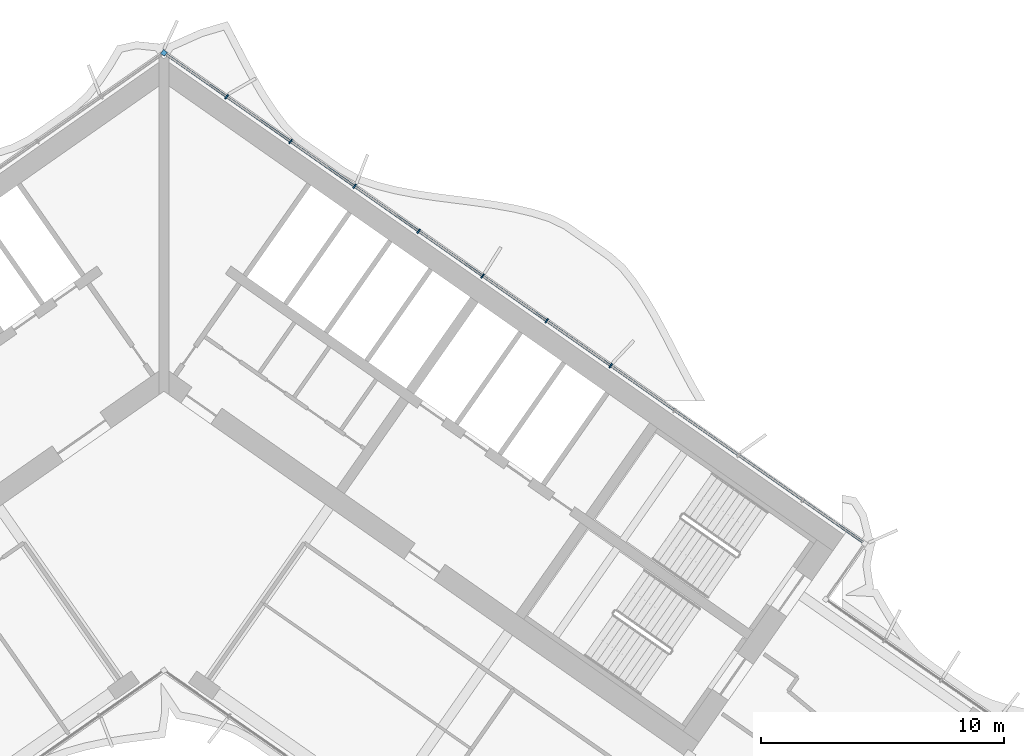
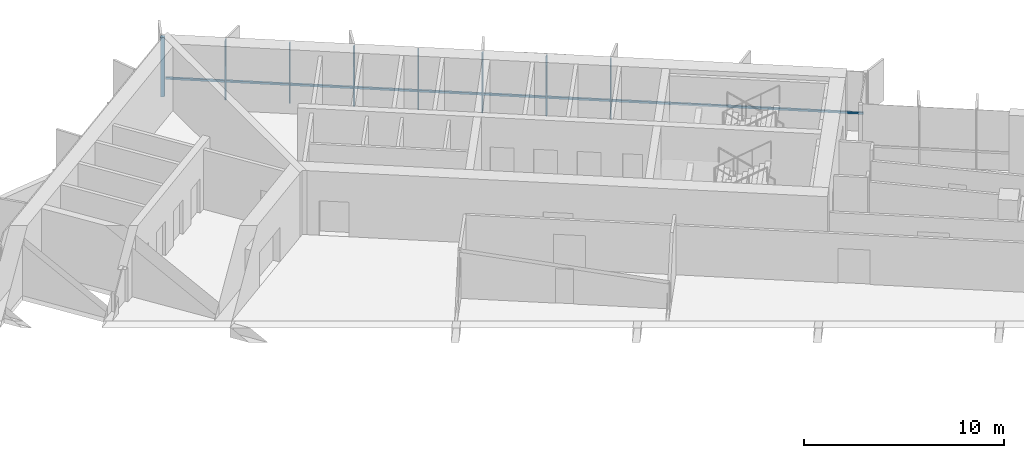
# One storey, part 8 of 21: 9 members, 1 element without a shape of its own.
"""IFC4 building model written with IfcOpenShell, lengths in metres."""

from ifc_helpers import new_model, si_unit, direction, frame, origin, origin_2d, place, context, subcontext, project, spatial, rectangle, extrude, material, material_profile, profile_set, type_object, element, aggregate, save


model = new_model("IFC4")

# Units and contexts
model_context = context("Model", 3, precision=1e-05, world=origin(), true_north=direction((0.0, 1.0)))
body_context = subcontext(model_context, "Body", "Model", "MODEL_VIEW")
ifc_project = project(units=[si_unit("LENGTHUNIT", "METRE"), si_unit("AREAUNIT", "SQUARE_METRE"), si_unit("VOLUMEUNIT", "CUBIC_METRE"), si_unit("PLANEANGLEUNIT", "RADIAN"), si_unit("MASSUNIT", "GRAM", prefix="KILO")], contexts=[model_context])

# Site, building, storey
site_placement = place(None, origin())
site = spatial("IfcSite", under=ifc_project, at=site_placement, CompositionType="ELEMENT")
building_placement = place(site_placement, origin())
building = spatial("IfcBuilding", under=site, at=building_placement, Name="Tel Ilan Convention Tower", CompositionType="ELEMENT")
storey_placement = place(building_placement, frame((0.0, 0.0, 147.60009765625)))
storey = spatial("IfcBuildingStorey", under=building, at=storey_placement, Name="L33", CompositionType="ELEMENT", Elevation=147.60009765625)

# Curtain wall, members
ifc_material_1 = material(Name="Aluminium, bronze anodised", Category="aluminium")
curtain_wall_type = type_object("IfcCurtainWallType", Name="CW2 STICK CURTAIN WALL, SPANDREL PANELS", PredefinedType="NOTDEFINED", material=ifc_material_1)
curtain_wall_placement = place(storey_placement, origin())
curtain_wall = element("IfcCurtainWall", 1, at=curtain_wall_placement, inside=storey, type_object=curtain_wall_type, Name="Curtain wall CW2-27.01", PredefinedType="NOTDEFINED")
ifc_material_2 = material(Name="Aluminium, bronze anodised", Category="aluminium")
ifc_material_profile_1 = material_profile(ifc_material_2, rectangle(XDim=0.199951171875, YDim=0.199951171875, at=origin_2d()), Name="CW CORNER MULLION 200x200")
ifc_profile_set_1 = profile_set([ifc_material_profile_1], Name="Aluminium, bronze anodised")
member_type_1 = type_object("IfcMemberType", Name="CW CORNER MULLION 200x200", PredefinedType="MULLION", material=ifc_profile_set_1)
member_1_placement = place(storey_placement, frame((0.0, 12.696044921875, 0.0), z_axis=(0.0, 0.0, 1.0), x_axis=(-0.819152044289, 0.573576436351, 0.0)))
member_1 = element("IfcMember", 2, at=member_1_placement, type_object=member_type_1, Name="Corner mullion", PredefinedType="MULLION", context=body_context, shape_type="SweptSolid", body=[
    extrude(rectangle(XDim=0.199951171875, YDim=0.199951171875, at=origin_2d()), origin(), (0.0, 0.0, 1.0), 3.619873046875),
])
ifc_material_3 = material(Name="Aluminium, bronze anodised", Category="aluminium")
ifc_material_profile_2 = material_profile(ifc_material_3, rectangle(XDim=0.06005859375, YDim=0.199951171875, at=origin_2d()), Name="CW MULLION 60x200")
ifc_profile_set_2 = profile_set([ifc_material_profile_2], Name="Aluminium, bronze anodised")
member_type_2 = type_object("IfcMemberType", Name="CW MULLION 60x200", PredefinedType="MULLION", material=ifc_profile_set_2)
member_2_placement = place(storey_placement, frame((18.37109375, -0.16748046875, 0.0), z_axis=(0.0, 0.0, 1.0), x_axis=(-0.819152044289, 0.573576436351, 0.0)))
member_2 = element("IfcMember", 3, at=member_2_placement, type_object=member_type_2, Name="Mullion", PredefinedType="MULLION", context=body_context, shape_type="SweptSolid", body=[
    extrude(rectangle(XDim=0.06005859375, YDim=0.199951171875, at=origin_2d()), origin(), (0.0, 0.0, 1.0), 3.619873046875),
])
member_3_placement = place(storey_placement, frame((15.73828125, 1.676025390625, 0.0), z_axis=(0.0, 0.0, 1.0), x_axis=(-0.819152044289, 0.573576436351, 0.0)))
member_3 = element("IfcMember", 4, at=member_3_placement, type_object=member_type_2, Name="Mullion", PredefinedType="MULLION", context=body_context, shape_type="SweptSolid", body=[
    extrude(rectangle(XDim=0.06005859375, YDim=0.199951171875, at=origin_2d()), origin(), (0.0, 0.0, 1.0), 3.619873046875),
])
member_4_placement = place(storey_placement, frame((13.105712890625, 3.519287109375, 0.0), z_axis=(0.0, 0.0, 1.0), x_axis=(-0.819152044289, 0.573576436351, 0.0)))
member_4 = element("IfcMember", 5, at=member_4_placement, type_object=member_type_2, Name="Mullion", PredefinedType="MULLION", context=body_context, shape_type="SweptSolid", body=[
    extrude(rectangle(XDim=0.06005859375, YDim=0.199951171875, at=origin_2d()), origin(), (0.0, 0.0, 1.0), 3.619873046875),
])
member_5_placement = place(storey_placement, frame((10.47314453125, 5.36279296875, 0.0), z_axis=(0.0, 0.0, 1.0), x_axis=(-0.819152044289, 0.573576436351, 0.0)))
member_5 = element("IfcMember", 6, at=member_5_placement, type_object=member_type_2, Name="Mullion", PredefinedType="MULLION", context=body_context, shape_type="SweptSolid", body=[
    extrude(rectangle(XDim=0.06005859375, YDim=0.199951171875, at=origin_2d()), origin(), (0.0, 0.0, 1.0), 3.619873046875),
])
member_6_placement = place(storey_placement, frame((7.840576171875, 7.2060546875, 0.0), z_axis=(0.0, 0.0, 1.0), x_axis=(-0.819152044289, 0.573576436351, 0.0)))
member_6 = element("IfcMember", 7, at=member_6_placement, type_object=member_type_2, Name="Mullion", PredefinedType="MULLION", context=body_context, shape_type="SweptSolid", body=[
    extrude(rectangle(XDim=0.06005859375, YDim=0.199951171875, at=origin_2d()), origin(), (0.0, 0.0, 1.0), 3.619873046875),
])
member_7_placement = place(storey_placement, frame((5.207763671875, 9.049560546875, 0.0), z_axis=(0.0, 0.0, 1.0), x_axis=(-0.819152044289, 0.573576436351, 0.0)))
member_7 = element("IfcMember", 8, at=member_7_placement, type_object=member_type_2, Name="Mullion", PredefinedType="MULLION", context=body_context, shape_type="SweptSolid", body=[
    extrude(rectangle(XDim=0.06005859375, YDim=0.199951171875, at=origin_2d()), origin(), (0.0, 0.0, 1.0), 3.619873046875),
])
member_8_placement = place(storey_placement, frame((2.5751953125, 10.892822265625, 0.0), z_axis=(0.0, 0.0, 1.0), x_axis=(-0.819152044289, 0.573576436351, 0.0)))
member_8 = element("IfcMember", 9, at=member_8_placement, type_object=member_type_2, Name="Mullion", PredefinedType="MULLION", context=body_context, shape_type="SweptSolid", body=[
    extrude(rectangle(XDim=0.06005859375, YDim=0.199951171875, at=origin_2d()), origin(), (0.0, 0.0, 1.0), 3.619873046875),
])
ifc_material_4 = material(Name="Aluminium, bronze anodised", Category="aluminium")
ifc_material_profile_3 = material_profile(ifc_material_4, rectangle(XDim=0.10009765625, YDim=0.1201171875, at=origin_2d()), Name="CW TRANSOM 100x120")
ifc_profile_set_3 = profile_set([ifc_material_profile_3], Name="Aluminium, bronze anodised")
member_type_3 = type_object("IfcMemberType", Name="CW TRANSOM 100x120", PredefinedType="USERDEFINED", material=ifc_profile_set_3)
member_9_placement = place(storey_placement, frame((28.737548828125, -7.42626953125, 1.099853515625), z_axis=(-0.819150201937, 0.573579067494, 0.0), x_axis=(-0.573579067494, -0.819150201937, 0.0)))
member_9 = element("IfcMember", 10, at=member_9_placement, type_object=member_type_3, Name="Transom", ObjectType="TRANSOM", PredefinedType="USERDEFINED", context=body_context, shape_type="SweptSolid", body=[
    extrude(rectangle(XDim=0.10009765625, YDim=0.1201171875, at=origin_2d()), origin(), (0.0, 0.0, 1.0), 34.9521484375),
])
aggregate(curtain_wall, [member_2, member_3, member_4, member_5, member_6, member_7, member_8, member_1, member_9])

save(model, "model.ifc")
